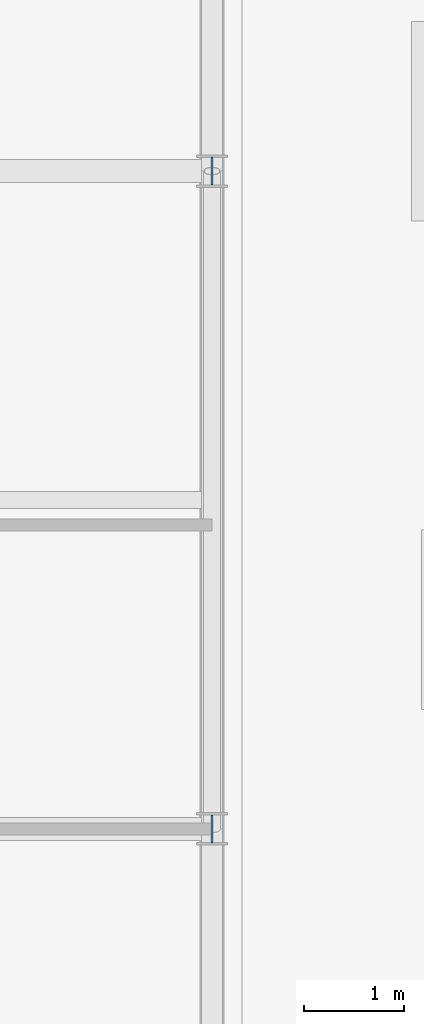
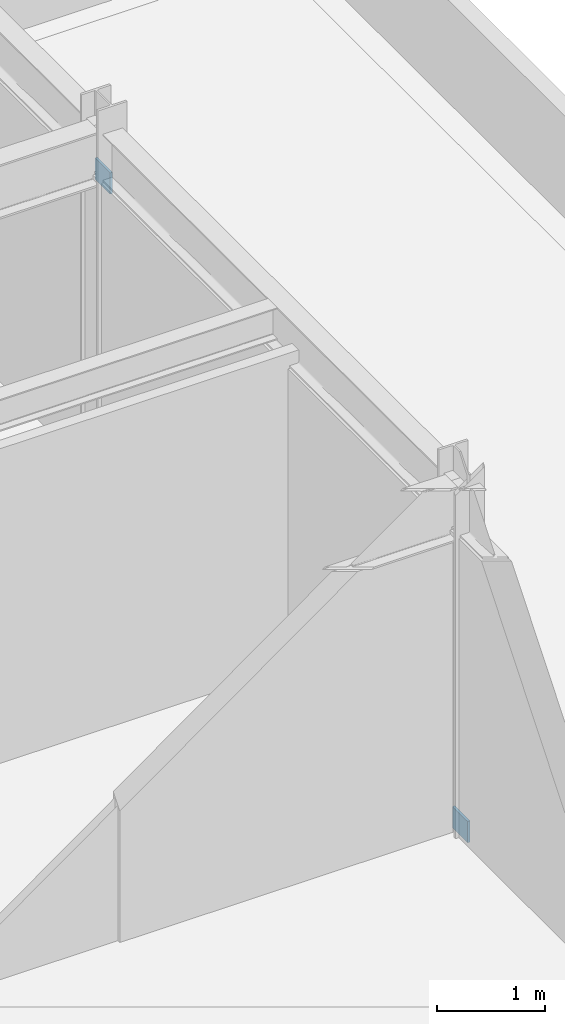
# One storey, part 90 of 106: 2 plates.
"""IFC4 building model written with IfcOpenShell, lengths in metres."""

from ifc_helpers import new_model, si_unit, direction, frame, origin, origin_2d, place, context, subcontext, project, spatial, rectangle, extrude, material, layer, layer_set, type_object, element, save


model = new_model("IFC4")

# Units and contexts
model_context = context("Model", 3, precision=1e-05, world=origin(), true_north=direction((0.0, 1.0)))
body_context = subcontext(model_context, "Body", "Model", "MODEL_VIEW")
ifc_project = project(units=[si_unit("LENGTHUNIT", "METRE"), si_unit("AREAUNIT", "SQUARE_METRE"), si_unit("VOLUMEUNIT", "CUBIC_METRE"), si_unit("PLANEANGLEUNIT", "RADIAN"), si_unit("MASSUNIT", "GRAM", prefix="KILO")], contexts=[model_context])

# Site, building, storey
site_placement = place(None, origin())
site = spatial("IfcSite", under=ifc_project, at=site_placement, CompositionType="ELEMENT")
building_placement = place(site_placement, origin())
building = spatial("IfcBuilding", under=site, at=building_placement, Name="Karori Crest Natural Sciences Institute", CompositionType="ELEMENT")
storey_placement = place(building_placement, frame((0.0, 0.0, 25.89990234375)))
storey = spatial("IfcBuildingStorey", under=building, at=storey_placement, Name="L06", CompositionType="ELEMENT", Elevation=25.89990234375)

# Plates
ifc_material = material(Name="Structural steel AS/NZS 3679.1 Grade 350", Category="steel")
ifc_layer = layer(ifc_material, 0.02490234375, Name="Structural steel AS/NZS 3679.1 Grade 350")
ifc_layer_set = layer_set([ifc_layer], Name="Structural steel AS/NZS 3679.1 Grade 350")
plate_type = type_object("IfcPlateType", Name="PLT-06-EL", PredefinedType="SHEET", material=ifc_layer_set)
for number, where, z_axis, x_axis, name in (
    (1, (156.39990234375, 7.39990234375, -0.10986328125), (0.0, 0.0, 1.0), (0.0, 1.0, 0.0), "Brace gusset plate EP-0414"),
    (2, (156.39990234375, 14.0, 3.1982421875), (0.0, 0.0, 1.0), (0.0, 1.0, 0.0), "Brace gusset plate EP-0415"),
):
    element("IfcPlate", number, at=place(storey_placement, frame(where, z_axis=z_axis, x_axis=x_axis)), inside=storey, type_object=plate_type, Name=name, PredefinedType="SHEET", context=body_context, shape_type="SweptSolid", body=[
        extrude(rectangle(XDim=0.280029296875, YDim=0.02490234375, at=origin_2d()), origin(), (0.0, 0.0, 1.0), 0.239990234375),
    ])

save(model, "model.ifc")
